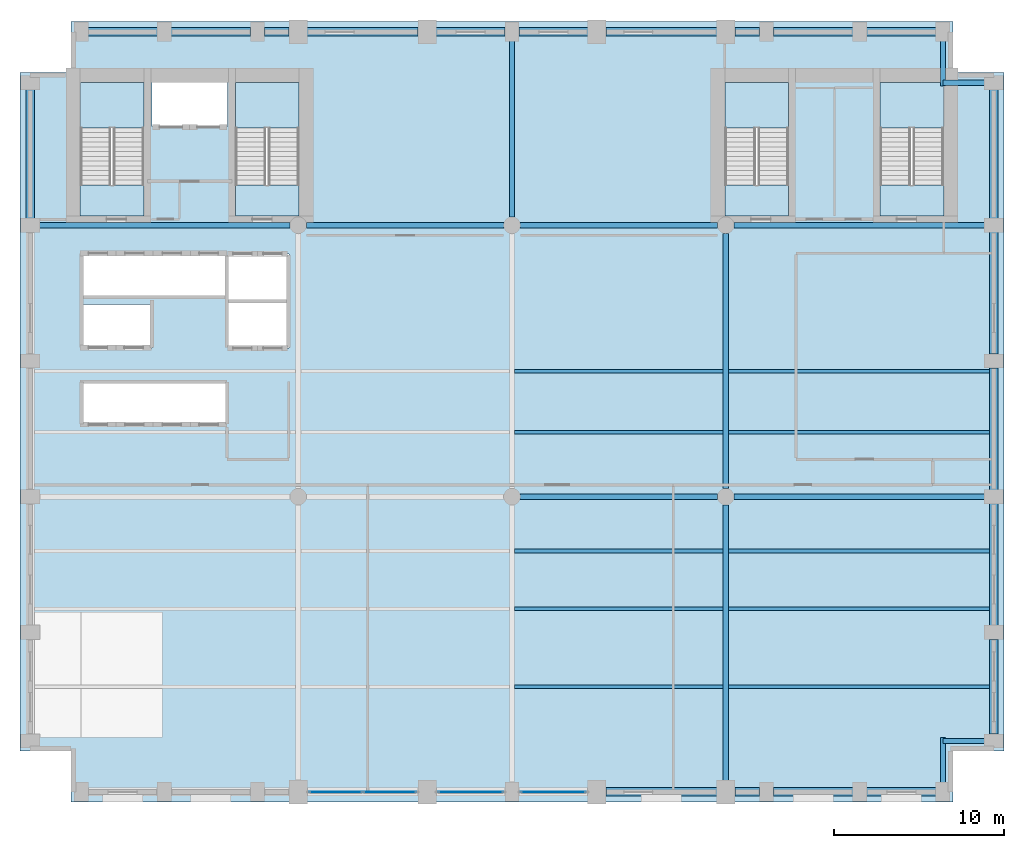
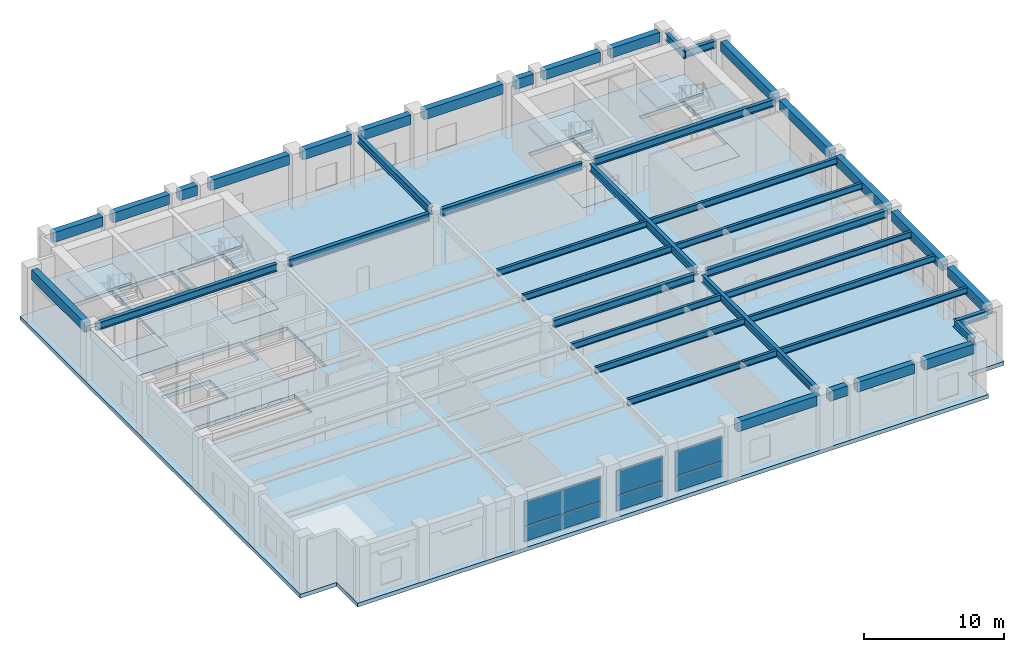
# One storey, part 3 of 10: 43 beams, 9 slabs, 8 plates, 7 elements without a shape of their own.
"""IFC4 building model written with IfcOpenShell, lengths in metres."""

from ifc_helpers import new_model, si_unit, direction, frame, origin, origin_2d, place, context, subcontext, project, spatial, polyline, rectangle, i_section, outline, extrude, material, layer, layer_set, material_profile, profile_set, type_object, element, aggregate, save


model = new_model("IFC4")

# Units and contexts
model_context = context("Model", 3, precision=1e-05, world=origin(), true_north=direction((0.0, 1.0)))
body_context = subcontext(model_context, "Body", "Model", "MODEL_VIEW")
ifc_project = project(units=[si_unit("LENGTHUNIT", "METRE"), si_unit("AREAUNIT", "SQUARE_METRE"), si_unit("VOLUMEUNIT", "CUBIC_METRE"), si_unit("PLANEANGLEUNIT", "RADIAN"), si_unit("MASSUNIT", "GRAM", prefix="KILO")], contexts=[model_context])

# Site, building, storey
site_placement = place(None, origin())
site = spatial("IfcSite", under=ifc_project, at=site_placement, CompositionType="ELEMENT")
building_placement = place(site_placement, origin())
building = spatial("IfcBuilding", under=site, at=building_placement, Name="Sulina Concourse Tower", CompositionType="ELEMENT")
storey_placement = place(building_placement, frame((0.0, 0.0, 87.800048828125)))
storey = spatial("IfcBuildingStorey", under=building, at=storey_placement, Name="L21", CompositionType="ELEMENT", Elevation=87.800048828125)

# Beams
ifc_material_1 = material(Name="Steel S355", Category="steel")
ifc_material_profile_1 = material_profile(ifc_material_1, i_section(OverallWidth=0.2099609375, OverallDepth=0.550048828125, WebThickness=0.010986328125, FlangeThickness=0.01708984375, at=origin_2d()), Name="IPE 550")
ifc_profile_set_1 = profile_set([ifc_material_profile_1], Name="Steel S355")
beam_type_1 = type_object("IfcBeamType", Name="Composite Floor Joist IPE550", PredefinedType="JOIST", material=ifc_profile_set_1)
beam_1_placement = place(storey_placement, frame((29.14990234375, 6.800048828125, 4.25), z_axis=(1.0, 0.0, 0.0), x_axis=(0.0, 1.0, 0.0)))
element("IfcBeam", 1, at=beam_1_placement, inside=storey, type_object=beam_type_1, Name="FJ-J06-3-L21", PredefinedType="JOIST", context=body_context, shape_type="SweptSolid", body=[
    extrude(i_section(OverallWidth=0.2099609375, OverallDepth=0.550048828125, WebThickness=0.010986328125, FlangeThickness=0.01708984375, at=origin_2d()), origin(), (0.0, 0.0, 1.0), 12.300048828125),
])
beam_2_placement = place(storey_placement, frame((41.75, 6.800048828125, 4.25), z_axis=(1.0, 0.0, 0.0), x_axis=(0.0, 1.0, 0.0)))
element("IfcBeam", 2, at=beam_2_placement, inside=storey, type_object=beam_type_1, Name="FJ-J06-4-L21", PredefinedType="JOIST", context=body_context, shape_type="SweptSolid", body=[
    extrude(i_section(OverallWidth=0.2099609375, OverallDepth=0.550048828125, WebThickness=0.010986328125, FlangeThickness=0.01708984375, at=origin_2d()), origin(), (0.0, 0.0, 1.0), 15.39990234375),
])
beam_3_placement = place(storey_placement, frame((29.14990234375, 11.39990234375, 4.25), z_axis=(1.0, 0.0, 0.0), x_axis=(0.0, 1.0, 0.0)))
element("IfcBeam", 3, at=beam_3_placement, inside=storey, type_object=beam_type_1, Name="FJ-J11-3-L21", PredefinedType="JOIST", context=body_context, shape_type="SweptSolid", body=[
    extrude(i_section(OverallWidth=0.2099609375, OverallDepth=0.550048828125, WebThickness=0.010986328125, FlangeThickness=0.01708984375, at=origin_2d()), origin(), (0.0, 0.0, 1.0), 12.300048828125),
])
beam_4_placement = place(storey_placement, frame((41.75, 11.39990234375, 4.25), z_axis=(1.0, 0.0, 0.0), x_axis=(0.0, 1.0, 0.0)))
element("IfcBeam", 4, at=beam_4_placement, inside=storey, type_object=beam_type_1, Name="FJ-J11-4-L21", PredefinedType="JOIST", context=body_context, shape_type="SweptSolid", body=[
    extrude(i_section(OverallWidth=0.2099609375, OverallDepth=0.550048828125, WebThickness=0.010986328125, FlangeThickness=0.01708984375, at=origin_2d()), origin(), (0.0, 0.0, 1.0), 15.39990234375),
])
beam_5_placement = place(storey_placement, frame((29.14990234375, 14.800048828125, 4.25), z_axis=(1.0, 0.0, 0.0), x_axis=(0.0, 1.0, 0.0)))
element("IfcBeam", 5, at=beam_5_placement, inside=storey, type_object=beam_type_1, Name="FJ-J15-3-L21", PredefinedType="JOIST", context=body_context, shape_type="SweptSolid", body=[
    extrude(i_section(OverallWidth=0.2099609375, OverallDepth=0.550048828125, WebThickness=0.010986328125, FlangeThickness=0.01708984375, at=origin_2d()), origin(), (0.0, 0.0, 1.0), 12.300048828125),
])
beam_6_placement = place(storey_placement, frame((41.75, 14.800048828125, 4.25), z_axis=(1.0, 0.0, 0.0), x_axis=(0.0, 1.0, 0.0)))
element("IfcBeam", 6, at=beam_6_placement, inside=storey, type_object=beam_type_1, Name="FJ-J15-4-L21", PredefinedType="JOIST", context=body_context, shape_type="SweptSolid", body=[
    extrude(i_section(OverallWidth=0.2099609375, OverallDepth=0.550048828125, WebThickness=0.010986328125, FlangeThickness=0.01708984375, at=origin_2d()), origin(), (0.0, 0.0, 1.0), 15.39990234375),
])
beam_7_placement = place(storey_placement, frame((29.14990234375, 21.800048828125, 4.25), z_axis=(1.0, 0.0, 0.0), x_axis=(0.0, 1.0, 0.0)))
element("IfcBeam", 7, at=beam_7_placement, inside=storey, type_object=beam_type_1, Name="FJ-J22-3-L21", PredefinedType="JOIST", context=body_context, shape_type="SweptSolid", body=[
    extrude(i_section(OverallWidth=0.2099609375, OverallDepth=0.550048828125, WebThickness=0.010986328125, FlangeThickness=0.01708984375, at=origin_2d()), origin(), (0.0, 0.0, 1.0), 12.300048828125),
])
beam_8_placement = place(storey_placement, frame((41.75, 21.800048828125, 4.25), z_axis=(1.0, 0.0, 0.0), x_axis=(0.0, 1.0, 0.0)))
element("IfcBeam", 8, at=beam_8_placement, inside=storey, type_object=beam_type_1, Name="FJ-J22-4-L21", PredefinedType="JOIST", context=body_context, shape_type="SweptSolid", body=[
    extrude(i_section(OverallWidth=0.2099609375, OverallDepth=0.550048828125, WebThickness=0.010986328125, FlangeThickness=0.01708984375, at=origin_2d()), origin(), (0.0, 0.0, 1.0), 15.39990234375),
])
beam_9_placement = place(storey_placement, frame((29.14990234375, 25.39990234375, 4.25), z_axis=(1.0, 0.0, 0.0), x_axis=(0.0, 1.0, 0.0)))
element("IfcBeam", 9, at=beam_9_placement, inside=storey, type_object=beam_type_1, Name="FJ-J25-3-L21", PredefinedType="JOIST", context=body_context, shape_type="SweptSolid", body=[
    extrude(i_section(OverallWidth=0.2099609375, OverallDepth=0.550048828125, WebThickness=0.010986328125, FlangeThickness=0.01708984375, at=origin_2d()), origin(), (0.0, 0.0, 1.0), 12.300048828125),
])
beam_10_placement = place(storey_placement, frame((41.75, 25.39990234375, 4.25), z_axis=(1.0, 0.0, 0.0), x_axis=(0.0, 1.0, 0.0)))
element("IfcBeam", 10, at=beam_10_placement, inside=storey, type_object=beam_type_1, Name="FJ-J25-4-L21", PredefinedType="JOIST", context=body_context, shape_type="SweptSolid", body=[
    extrude(i_section(OverallWidth=0.2099609375, OverallDepth=0.550048828125, WebThickness=0.010986328125, FlangeThickness=0.01708984375, at=origin_2d()), origin(), (0.0, 0.0, 1.0), 15.39990234375),
])
ifc_material_2 = material(Name="Steel S355", Category="steel")
ifc_material_profile_2 = material_profile(ifc_material_2, i_section(OverallWidth=0.300048828125, OverallDepth=0.64990234375, WebThickness=0.01611328125, FlangeThickness=0.031005859375, at=origin_2d()), Name="HE 650 B")
ifc_profile_set_2 = profile_set([ifc_material_profile_2], Name="Steel S355")
beam_type_2 = type_object("IfcBeamType", Name="Floor Primary Girder Zone 2 HE650B", PredefinedType="BEAM", material=ifc_profile_set_2)
for number, where, z_axis, x_axis, name in (
    (11, (54.39990234375, 3.60009765625, 4.199951171875), (1.0, 0.0, 0.0), (0.0, 1.0, 0.0), "TIE-SE-L21"),
    (12, (54.39990234375, 42.39990234375, 4.199951171875), (1.0, 0.0, 0.0), (0.0, 1.0, 0.0), "TIE-NE-L21"),
):
    element("IfcBeam", number, at=place(storey_placement, frame(where, z_axis=z_axis, x_axis=x_axis)), inside=storey, type_object=beam_type_2, Name=name, PredefinedType="BEAM", context=body_context, shape_type="SweptSolid", body=[
        extrude(i_section(OverallWidth=0.300048828125, OverallDepth=0.64990234375, WebThickness=0.01611328125, FlangeThickness=0.031005859375, at=origin_2d()), origin(), (0.0, 0.0, 1.0), 2.59521484375),
    ])
for number, where, z_axis, x_axis, name in (
    (13, (54.39990234375, 1.0048828125, 4.199951171875), (0.0, 1.0, 0.0), (-1.0, 0.0, 0.0), "TIE-SES-L21"),
    (14, (54.39990234375, 42.199951171875, 4.199951171875), (0.0, 1.0, 0.0), (-1.0, 0.0, 0.0), "TIE-NEN-L21"),
):
    element("IfcBeam", number, at=place(storey_placement, frame(where, z_axis=z_axis, x_axis=x_axis)), inside=storey, type_object=beam_type_2, Name=name, PredefinedType="BEAM", context=body_context, shape_type="SweptSolid", body=[
        extrude(i_section(OverallWidth=0.300048828125, OverallDepth=0.64990234375, WebThickness=0.01611328125, FlangeThickness=0.031005859375, at=origin_2d()), origin(), (0.0, 0.0, 1.0), 2.795166015625),
    ])
beam_11_placement = place(storey_placement, frame((29.47998046875, 18.0, 4.199951171875), z_axis=(1.0, 0.0, 0.0), x_axis=(0.0, 1.0, 0.0)))
element("IfcBeam", 15, at=beam_11_placement, inside=storey, type_object=beam_type_2, Name="FG-EW3-L21", PredefinedType="BEAM", context=body_context, shape_type="SweptSolid", body=[
    extrude(i_section(OverallWidth=0.300048828125, OverallDepth=0.64990234375, WebThickness=0.01611328125, FlangeThickness=0.031005859375, at=origin_2d()), origin(), (0.0, 0.0, 1.0), 11.64013671875),
])
for number, where, z_axis, x_axis, name in (
    (16, (42.080078125, 18.0, 4.199951171875), (1.0, 0.0, 0.0), (0.0, 1.0, 0.0), "FG-EW4-L21"),
    (17, (1.0048828125, 34.0, 4.199951171875), (1.0, 0.0, 0.0), (0.0, 1.0, 0.0), "FG-EWN1-L21"),
):
    element("IfcBeam", number, at=place(storey_placement, frame(where, z_axis=z_axis, x_axis=x_axis)), inside=storey, type_object=beam_type_2, Name=name, PredefinedType="BEAM", context=body_context, shape_type="SweptSolid", body=[
        extrude(i_section(OverallWidth=0.300048828125, OverallDepth=0.64990234375, WebThickness=0.01611328125, FlangeThickness=0.031005859375, at=origin_2d()), origin(), (0.0, 0.0, 1.0), 14.9150390625),
    ])
for number, where, z_axis, x_axis, name in (
    (18, (16.8798828125, 34.0, 4.199951171875), (1.0, 0.0, 0.0), (0.0, 1.0, 0.0), "FG-EWN2-L21"),
    (19, (29.47998046875, 34.0, 4.199951171875), (1.0, 0.0, 0.0), (0.0, 1.0, 0.0), "FG-EWN3-L21"),
):
    element("IfcBeam", number, at=place(storey_placement, frame(where, z_axis=z_axis, x_axis=x_axis)), inside=storey, type_object=beam_type_2, Name=name, PredefinedType="BEAM", context=body_context, shape_type="SweptSolid", body=[
        extrude(i_section(OverallWidth=0.300048828125, OverallDepth=0.64990234375, WebThickness=0.01611328125, FlangeThickness=0.031005859375, at=origin_2d()), origin(), (0.0, 0.0, 1.0), 11.64013671875),
    ])
beam_12_placement = place(storey_placement, frame((42.080078125, 34.0, 4.199951171875), z_axis=(1.0, 0.0, 0.0), x_axis=(0.0, 1.0, 0.0)))
element("IfcBeam", 20, at=beam_12_placement, inside=storey, type_object=beam_type_2, Name="FG-EWN4-L21", PredefinedType="BEAM", context=body_context, shape_type="SweptSolid", body=[
    extrude(i_section(OverallWidth=0.300048828125, OverallDepth=0.64990234375, WebThickness=0.01611328125, FlangeThickness=0.031005859375, at=origin_2d()), origin(), (0.0, 0.0, 1.0), 14.9150390625),
])
beam_13_placement = place(storey_placement, frame((29.0, 34.47998046875, 4.199951171875), z_axis=(0.0, 1.0, 0.0), x_axis=(-1.0, 0.0, 0.0)))
element("IfcBeam", 21, at=beam_13_placement, inside=storey, type_object=beam_type_2, Name="FG-NSC-29-L21", PredefinedType="BEAM", context=body_context, shape_type="SweptSolid", body=[
    extrude(i_section(OverallWidth=0.300048828125, OverallDepth=0.64990234375, WebThickness=0.01611328125, FlangeThickness=0.031005859375, at=origin_2d()), origin(), (0.0, 0.0, 1.0), 10.51513671875),
])
beam_14_placement = place(storey_placement, frame((41.60009765625, 1.1298828125, 4.199951171875), z_axis=(0.0, 1.0, 0.0), x_axis=(-1.0, 0.0, 0.0)))
element("IfcBeam", 22, at=beam_14_placement, inside=storey, type_object=beam_type_2, Name="FG-NSA-41-L21", PredefinedType="BEAM", context=body_context, shape_type="SweptSolid", body=[
    extrude(i_section(OverallWidth=0.300048828125, OverallDepth=0.64990234375, WebThickness=0.01611328125, FlangeThickness=0.031005859375, at=origin_2d()), origin(), (0.0, 0.0, 1.0), 16.39013671875),
])
beam_15_placement = place(storey_placement, frame((41.60009765625, 18.47998046875, 4.199951171875), z_axis=(0.0, 1.0, 0.0), x_axis=(-1.0, 0.0, 0.0)))
element("IfcBeam", 23, at=beam_15_placement, inside=storey, type_object=beam_type_2, Name="FG-NSB-41-L21", PredefinedType="BEAM", context=body_context, shape_type="SweptSolid", body=[
    extrude(i_section(OverallWidth=0.300048828125, OverallDepth=0.64990234375, WebThickness=0.01611328125, FlangeThickness=0.031005859375, at=origin_2d()), origin(), (0.0, 0.0, 1.0), 15.0400390625),
])
ifc_material_3 = material(Name="Precast concrete C50/60", Category="concrete")
ifc_material_profile_3 = material_profile(ifc_material_3, rectangle(XDim=0.5, YDim=0.85009765625, at=origin_2d()), Name="RC 500x850")
ifc_profile_set_3 = profile_set([ifc_material_profile_3], Name="Precast concrete C50/60")
beam_type_3 = type_object("IfcBeamType", Name="Lower Precast Spandrel Edge Beam 500x850", PredefinedType="BEAM", material=ifc_profile_set_3)
beam_16_placement = place(storey_placement, frame((34.530029296875, 0.60009765625, 4.099853515625), z_axis=(1.0, 0.0, 0.0), x_axis=(0.0, 1.0, 0.0)))
element("IfcBeam", 24, at=beam_16_placement, inside=storey, type_object=beam_type_3, Name="SP-S7-L21", PredefinedType="BEAM", context=body_context, shape_type="SweptSolid", body=[
    extrude(rectangle(XDim=0.5, YDim=0.85009765625, at=origin_2d()), origin(), (0.0, 0.0, 1.0), 6.5400390625),
])
beam_17_placement = place(storey_placement, frame((42.1298828125, 0.60009765625, 4.099853515625), z_axis=(1.0, 0.0, 0.0), x_axis=(0.0, 1.0, 0.0)))
element("IfcBeam", 25, at=beam_17_placement, inside=storey, type_object=beam_type_3, Name="SP-S8-L21", PredefinedType="BEAM", context=body_context, shape_type="SweptSolid", body=[
    extrude(rectangle(XDim=0.5, YDim=0.85009765625, at=origin_2d()), origin(), (0.0, 0.0, 1.0), 1.465087890625),
])
beam_18_placement = place(storey_placement, frame((44.405029296875, 0.60009765625, 4.099853515625), z_axis=(1.0, 0.0, 0.0), x_axis=(0.0, 1.0, 0.0)))
element("IfcBeam", 26, at=beam_18_placement, inside=storey, type_object=beam_type_3, Name="SP-S9-L21", PredefinedType="BEAM", context=body_context, shape_type="SweptSolid", body=[
    extrude(rectangle(XDim=0.5, YDim=0.85009765625, at=origin_2d()), origin(), (0.0, 0.0, 1.0), 4.68994140625),
])
for number, where, z_axis, x_axis, name in (
    (27, (49.905029296875, 0.60009765625, 4.099853515625), (1.0, 0.0, 0.0), (0.0, 1.0, 0.0), "SP-S10-L21"),
    (28, (4.0048828125, 45.39990234375, 4.099853515625), (1.0, 0.0, 0.0), (0.0, 1.0, 0.0), "SP-N1-L21"),
):
    element("IfcBeam", number, at=place(storey_placement, frame(where, z_axis=z_axis, x_axis=x_axis)), inside=storey, type_object=beam_type_3, Name=name, PredefinedType="BEAM", context=body_context, shape_type="SweptSolid", body=[
        extrude(rectangle(XDim=0.5, YDim=0.85009765625, at=origin_2d()), origin(), (0.0, 0.0, 1.0), 4.090087890625),
    ])
beam_19_placement = place(storey_placement, frame((8.905029296875, 45.39990234375, 4.099853515625), z_axis=(1.0, 0.0, 0.0), x_axis=(0.0, 1.0, 0.0)))
element("IfcBeam", 29, at=beam_19_placement, inside=storey, type_object=beam_type_3, Name="SP-N2-L21", PredefinedType="BEAM", context=body_context, shape_type="SweptSolid", body=[
    extrude(rectangle(XDim=0.5, YDim=0.85009765625, at=origin_2d()), origin(), (0.0, 0.0, 1.0), 4.68994140625),
])
beam_20_placement = place(storey_placement, frame((14.405029296875, 45.39990234375, 4.099853515625), z_axis=(1.0, 0.0, 0.0), x_axis=(0.0, 1.0, 0.0)))
element("IfcBeam", 30, at=beam_20_placement, inside=storey, type_object=beam_type_3, Name="SP-N3-L21", PredefinedType="BEAM", context=body_context, shape_type="SweptSolid", body=[
    extrude(rectangle(XDim=0.5, YDim=0.85009765625, at=origin_2d()), origin(), (0.0, 0.0, 1.0), 1.465087890625),
])
beam_21_placement = place(storey_placement, frame((16.929931640625, 45.39990234375, 4.099853515625), z_axis=(1.0, 0.0, 0.0), x_axis=(0.0, 1.0, 0.0)))
element("IfcBeam", 31, at=beam_21_placement, inside=storey, type_object=beam_type_3, Name="SP-N4-L21", PredefinedType="BEAM", context=body_context, shape_type="SweptSolid", body=[
    extrude(rectangle(XDim=0.5, YDim=0.85009765625, at=origin_2d()), origin(), (0.0, 0.0, 1.0), 6.5400390625),
])
for number, where, z_axis, x_axis, name in (
    (32, (24.530029296875, 45.39990234375, 4.099853515625), (1.0, 0.0, 0.0), (0.0, 1.0, 0.0), "SP-N5-L21"),
    (33, (29.405029296875, 45.39990234375, 4.099853515625), (1.0, 0.0, 0.0), (0.0, 1.0, 0.0), "SP-N6-L21"),
):
    element("IfcBeam", number, at=place(storey_placement, frame(where, z_axis=z_axis, x_axis=x_axis)), inside=storey, type_object=beam_type_3, Name=name, PredefinedType="BEAM", context=body_context, shape_type="SweptSolid", body=[
        extrude(rectangle(XDim=0.5, YDim=0.85009765625, at=origin_2d()), origin(), (0.0, 0.0, 1.0), 4.06494140625),
    ])
beam_22_placement = place(storey_placement, frame((34.530029296875, 45.39990234375, 4.099853515625), z_axis=(1.0, 0.0, 0.0), x_axis=(0.0, 1.0, 0.0)))
element("IfcBeam", 34, at=beam_22_placement, inside=storey, type_object=beam_type_3, Name="SP-N7-L21", PredefinedType="BEAM", context=body_context, shape_type="SweptSolid", body=[
    extrude(rectangle(XDim=0.5, YDim=0.85009765625, at=origin_2d()), origin(), (0.0, 0.0, 1.0), 6.5400390625),
])
beam_23_placement = place(storey_placement, frame((42.1298828125, 45.39990234375, 4.099853515625), z_axis=(1.0, 0.0, 0.0), x_axis=(0.0, 1.0, 0.0)))
element("IfcBeam", 35, at=beam_23_placement, inside=storey, type_object=beam_type_3, Name="SP-N8-L21", PredefinedType="BEAM", context=body_context, shape_type="SweptSolid", body=[
    extrude(rectangle(XDim=0.5, YDim=0.85009765625, at=origin_2d()), origin(), (0.0, 0.0, 1.0), 1.465087890625),
])
beam_24_placement = place(storey_placement, frame((44.405029296875, 45.39990234375, 4.099853515625), z_axis=(1.0, 0.0, 0.0), x_axis=(0.0, 1.0, 0.0)))
element("IfcBeam", 36, at=beam_24_placement, inside=storey, type_object=beam_type_3, Name="SP-N9-L21", PredefinedType="BEAM", context=body_context, shape_type="SweptSolid", body=[
    extrude(rectangle(XDim=0.5, YDim=0.85009765625, at=origin_2d()), origin(), (0.0, 0.0, 1.0), 4.68994140625),
])
beam_25_placement = place(storey_placement, frame((49.905029296875, 45.39990234375, 4.099853515625), z_axis=(1.0, 0.0, 0.0), x_axis=(0.0, 1.0, 0.0)))
element("IfcBeam", 37, at=beam_25_placement, inside=storey, type_object=beam_type_3, Name="SP-N10-L21", PredefinedType="BEAM", context=body_context, shape_type="SweptSolid", body=[
    extrude(rectangle(XDim=0.5, YDim=0.85009765625, at=origin_2d()), origin(), (0.0, 0.0, 1.0), 4.090087890625),
])
beam_26_placement = place(storey_placement, frame((0.60009765625, 34.405029296875, 4.099853515625), z_axis=(0.0, 1.0, 0.0), x_axis=(-1.0, 0.0, 0.0)))
element("IfcBeam", 38, at=beam_26_placement, inside=storey, type_object=beam_type_3, Name="SP-W5-L21", PredefinedType="BEAM", context=body_context, shape_type="SweptSolid", body=[
    extrude(rectangle(XDim=0.5, YDim=0.85009765625, at=origin_2d()), origin(), (0.0, 0.0, 1.0), 7.590087890625),
])
beam_27_placement = place(storey_placement, frame((57.39990234375, 4.0048828125, 4.099853515625), z_axis=(0.0, 1.0, 0.0), x_axis=(-1.0, 0.0, 0.0)))
element("IfcBeam", 39, at=beam_27_placement, inside=storey, type_object=beam_type_3, Name="SP-E1-L21", PredefinedType="BEAM", context=body_context, shape_type="SweptSolid", body=[
    extrude(rectangle(XDim=0.5, YDim=0.85009765625, at=origin_2d()), origin(), (0.0, 0.0, 1.0), 5.590087890625),
])
for number, where, z_axis, x_axis, name in (
    (40, (57.39990234375, 10.405029296875, 4.099853515625), (0.0, 1.0, 0.0), (-1.0, 0.0, 0.0), "SP-E2-L21"),
    (41, (57.39990234375, 18.405029296875, 4.099853515625), (0.0, 1.0, 0.0), (-1.0, 0.0, 0.0), "SP-E3-L21"),
    (42, (57.39990234375, 26.405029296875, 4.099853515625), (0.0, 1.0, 0.0), (-1.0, 0.0, 0.0), "SP-E4-L21"),
):
    element("IfcBeam", number, at=place(storey_placement, frame(where, z_axis=z_axis, x_axis=x_axis)), inside=storey, type_object=beam_type_3, Name=name, PredefinedType="BEAM", context=body_context, shape_type="SweptSolid", body=[
        extrude(rectangle(XDim=0.5, YDim=0.85009765625, at=origin_2d()), origin(), (0.0, 0.0, 1.0), 7.18994140625),
    ])
beam_28_placement = place(storey_placement, frame((57.39990234375, 34.405029296875, 4.099853515625), z_axis=(0.0, 1.0, 0.0), x_axis=(-1.0, 0.0, 0.0)))
element("IfcBeam", 43, at=beam_28_placement, inside=storey, type_object=beam_type_3, Name="SP-E5-L21", PredefinedType="BEAM", context=body_context, shape_type="SweptSolid", body=[
    extrude(rectangle(XDim=0.5, YDim=0.85009765625, at=origin_2d()), origin(), (0.0, 0.0, 1.0), 7.590087890625),
])

# Slabs
ifc_material_4 = material(Name="Concrete C60/75", Category="concrete")
ifc_layer_1 = layer(ifc_material_4, 0.340087890625)
ifc_layer_set_1 = layer_set([ifc_layer_1], Name="Concrete C60/75")
slab_type_1 = type_object("IfcSlabType", Name="Mechanical Plant & Sky-Lobby Slab 340mm", PredefinedType="FLOOR", material=ifc_layer_set_1)
slab_1_placement = place(storey_placement, frame((0.0, 0.0, -0.340087890625)))
element("IfcSlab", 44, at=slab_1_placement, inside=storey, type_object=slab_type_1, Name="L21 structural floor slab", PredefinedType="FLOOR", context=body_context, shape_type="SweptSolid", body=[
    extrude(outline(polyline([(3.0, 0.0), (55.0, 0.0), (55.0, 3.0), (58.0, 3.0), (58.0, 43.0), (55.0, 43.0), (55.0, 46.0), (3.0, 46.0), (3.0, 43.0), (0.0, 43.0), (0.0, 3.0), (3.0, 3.0), (3.0, 0.0)]), holes=[polyline([(7.31005859375, 34.550048828125), (7.31005859375, 42.429931640625), (3.550048828125, 42.429931640625), (3.550048828125, 34.550048828125), (7.31005859375, 34.550048828125)]), polyline([(16.449951171875, 34.550048828125), (16.449951171875, 42.429931640625), (12.68994140625, 42.429931640625), (12.68994140625, 34.550048828125), (16.449951171875, 34.550048828125)]), polyline([(45.31005859375, 34.550048828125), (45.31005859375, 42.429931640625), (41.550048828125, 42.429931640625), (41.550048828125, 34.550048828125), (45.31005859375, 34.550048828125)]), polyline([(54.449951171875, 34.550048828125), (54.449951171875, 42.429931640625), (50.68994140625, 42.429931640625), (50.68994140625, 34.550048828125), (54.449951171875, 34.550048828125)]), polyline([(7.780029296875, 39.830078125), (12.219970703125, 39.830078125), (12.219970703125, 42.449951171875), (7.780029296875, 42.449951171875), (7.780029296875, 39.830078125)]), polyline([(3.739990234375, 26.780029296875), (7.77001953125, 26.780029296875), (7.77001953125, 29.320068359375), (3.739990234375, 29.320068359375), (3.739990234375, 26.780029296875)]), polyline([(3.739990234375, 29.780029296875), (12.10009765625, 29.780029296875), (12.10009765625, 32.3701171875), (3.739990234375, 32.3701171875), (3.739990234375, 29.780029296875)]), polyline([(3.739990234375, 22.280029296875), (12.10009765625, 22.280029296875), (12.10009765625, 24.77001953125), (3.739990234375, 24.77001953125), (3.739990234375, 22.280029296875)]), polyline([(12.280029296875, 26.780029296875), (15.85009765625, 26.780029296875), (15.85009765625, 32.320068359375), (12.280029296875, 32.320068359375), (12.280029296875, 26.780029296875)])]), origin(), (0.0, 0.0, 1.0), 0.340087890625),
])
ifc_material_5 = material(Name="Concrete C50/60", Category="concrete")
ifc_layer_2 = layer(ifc_material_5, 0.199951171875)
ifc_layer_set_2 = layer_set([ifc_layer_2], Name="Concrete C50/60")
slab_type_2 = type_object("IfcSlabType", Name="Primary Core Stair Landing Slab 200mm", PredefinedType="LANDING", material=ifc_layer_set_2)
slab_2_placement = place(storey_placement, frame((0.0, 0.0, -0.199951171875)))
element("IfcSlab", 45, at=slab_2_placement, inside=storey, type_object=slab_type_2, Name="L21 ST-1 floor landing slab", PredefinedType="LANDING", context=body_context, shape_type="SweptSolid", body=[
    extrude(outline(polyline([(7.31005859375, 34.550048828125), (7.31005859375, 36.375), (3.550048828125, 36.375), (3.550048828125, 34.550048828125), (7.31005859375, 34.550048828125)])), origin(), (0.0, 0.0, 1.0), 0.199951171875),
])
slab_3_placement = place(storey_placement, frame((0.0, 0.0, -0.199951171875)))
element("IfcSlab", 46, at=slab_3_placement, inside=storey, type_object=slab_type_2, Name="L21 ST-2 floor landing slab", PredefinedType="LANDING", context=body_context, shape_type="SweptSolid", body=[
    extrude(outline(polyline([(16.449951171875, 34.550048828125), (16.449951171875, 36.375), (12.68994140625, 36.375), (12.68994140625, 34.550048828125), (16.449951171875, 34.550048828125)])), origin(), (0.0, 0.0, 1.0), 0.199951171875),
])
slab_4_placement = place(storey_placement, frame((0.0, 0.0, -0.199951171875)))
element("IfcSlab", 47, at=slab_4_placement, inside=storey, type_object=slab_type_2, Name="L21 ST-3 floor landing slab", PredefinedType="LANDING", context=body_context, shape_type="SweptSolid", body=[
    extrude(outline(polyline([(45.31005859375, 34.550048828125), (45.31005859375, 36.375), (41.550048828125, 36.375), (41.550048828125, 34.550048828125), (45.31005859375, 34.550048828125)])), origin(), (0.0, 0.0, 1.0), 0.199951171875),
])
slab_5_placement = place(storey_placement, frame((0.0, 0.0, -0.199951171875)))
element("IfcSlab", 48, at=slab_5_placement, inside=storey, type_object=slab_type_2, Name="L21 ST-4 floor landing slab", PredefinedType="LANDING", context=body_context, shape_type="SweptSolid", body=[
    extrude(outline(polyline([(54.449951171875, 34.550048828125), (54.449951171875, 36.375), (50.68994140625, 36.375), (50.68994140625, 34.550048828125), (54.449951171875, 34.550048828125)])), origin(), (0.0, 0.0, 1.0), 0.199951171875),
])

# Stair, slab
ifc_material_6 = material(Name="Concrete C50/60", Category="concrete")
stair_type_1 = type_object("IfcStairType", Name="Primary Core Dog-Leg Exit Stair 1800mm", PredefinedType="HALF_TURN_STAIR", material=ifc_material_6)
stair_1_placement = place(storey_placement, origin())
stair_1 = element("IfcStair", 49, at=stair_1_placement, inside=storey, type_object=stair_type_1, Name="L21 ST-1", PredefinedType="HALF_TURN_STAIR")
slab_6_placement = place(storey_placement, frame((0.0, 0.0, 2.199951171875)))
slab_6 = element("IfcSlab", 50, at=slab_6_placement, type_object=slab_type_2, Name="ST-1 landing 1", PredefinedType="LANDING", context=body_context, shape_type="SweptSolid", body=[
    extrude(outline(polyline([(7.304931640625, 39.735107421875), (7.304931640625, 42.425048828125), (3.554931640625, 42.425048828125), (3.554931640625, 39.735107421875), (7.304931640625, 39.735107421875)])), origin(), (0.0, 0.0, 1.0), 0.199951171875),
])
aggregate(stair_1, [slab_6])

stair_2_placement = place(storey_placement, origin())
stair_2 = element("IfcStair", 51, at=stair_2_placement, inside=storey, type_object=stair_type_1, Name="L21 ST-2", PredefinedType="HALF_TURN_STAIR")
slab_7_placement = place(storey_placement, frame((0.0, 0.0, 2.199951171875)))
slab_7 = element("IfcSlab", 52, at=slab_7_placement, type_object=slab_type_2, Name="ST-2 landing 1", PredefinedType="LANDING", context=body_context, shape_type="SweptSolid", body=[
    extrude(outline(polyline([(16.445068359375, 39.735107421875), (16.445068359375, 42.425048828125), (12.695068359375, 42.425048828125), (12.695068359375, 39.735107421875), (16.445068359375, 39.735107421875)])), origin(), (0.0, 0.0, 1.0), 0.199951171875),
])
aggregate(stair_2, [slab_7])

ifc_material_7 = material(Name="Concrete C50/60", Category="concrete")
stair_type_2 = type_object("IfcStairType", Name="Portal & Podium Core Exit Stair 1820mm", PredefinedType="HALF_TURN_STAIR", material=ifc_material_7)
stair_3_placement = place(storey_placement, origin())
stair_3 = element("IfcStair", 53, at=stair_3_placement, inside=storey, type_object=stair_type_2, Name="L21 ST-3", PredefinedType="HALF_TURN_STAIR")
slab_8_placement = place(storey_placement, frame((0.0, 0.0, 2.199951171875)))
slab_8 = element("IfcSlab", 54, at=slab_8_placement, type_object=slab_type_2, Name="ST-3 landing 1", PredefinedType="LANDING", context=body_context, shape_type="SweptSolid", body=[
    extrude(outline(polyline([(45.304931640625, 39.735107421875), (45.304931640625, 42.425048828125), (41.554931640625, 42.425048828125), (41.554931640625, 39.735107421875), (45.304931640625, 39.735107421875)])), origin(), (0.0, 0.0, 1.0), 0.199951171875),
])
aggregate(stair_3, [slab_8])

stair_4_placement = place(storey_placement, origin())
stair_4 = element("IfcStair", 55, at=stair_4_placement, inside=storey, type_object=stair_type_2, Name="L21 ST-4", PredefinedType="HALF_TURN_STAIR")
slab_9_placement = place(storey_placement, frame((0.0, 0.0, 2.199951171875)))
slab_9 = element("IfcSlab", 56, at=slab_9_placement, type_object=slab_type_2, Name="ST-4 landing 1", PredefinedType="LANDING", context=body_context, shape_type="SweptSolid", body=[
    extrude(outline(polyline([(54.445068359375, 39.735107421875), (54.445068359375, 42.425048828125), (50.695068359375, 42.425048828125), (50.695068359375, 39.735107421875), (54.445068359375, 39.735107421875)])), origin(), (0.0, 0.0, 1.0), 0.199951171875),
])
aggregate(stair_4, [slab_9])

# Curtain wall, plates
ifc_material_8 = material(Name="Anodised bronze aluminium", Category="aluminium")
ifc_layer_3 = layer(ifc_material_8, 0.260009765625)
ifc_layer_set_3 = layer_set([ifc_layer_3], Name="Anodised bronze aluminium")
curtain_wall_type = type_object("IfcCurtainWallType", Name="Sky-Lobby Panorama Curtain Wall System", PredefinedType="NOTDEFINED", material=ifc_layer_set_3)
curtain_wall_1_placement = place(storey_placement, origin())
curtain_wall_1 = element("IfcCurtainWall", 57, at=curtain_wall_1_placement, inside=storey, type_object=curtain_wall_type, Name="L21 glazed curtain wall S4", PredefinedType="NOTDEFINED")
ifc_material_9 = material(Name="Acoustic laminated sky-lobby glazing", Category="glass")
ifc_layer_4 = layer(ifc_material_9, 0.0400390625)
ifc_layer_set_4 = layer_set([ifc_layer_4], Name="Acoustic laminated sky-lobby glazing")
plate_type = type_object("IfcPlateType", Name="Sky-Lobby Panorama Curtain Wall System Glazed Panel 40mm", PredefinedType="CURTAIN_PANEL", material=ifc_layer_set_4)
plate_1_placement = place(storey_placement, frame((21.794921875, 0.60009765625, 0.080078125), z_axis=(0.0, 0.0, 1.0), x_axis=(-1.0, 0.0, 0.0)))
plate_1 = element("IfcPlate", 58, at=plate_1_placement, type_object=plate_type, Name="CW-03 panel 1.1", PredefinedType="CURTAIN_PANEL", context=body_context, shape_type="SweptSolid", body=[
    extrude(rectangle(XDim=3.110107421875, YDim=0.0400390625, at=origin_2d()), origin(), (0.0, 0.0, 1.0), 1.276611328125),
])
plate_2_placement = place(storey_placement, frame((21.794921875, 0.60009765625, 1.4365234375), z_axis=(0.0, 0.0, 1.0), x_axis=(-1.0, 0.0, 0.0)))
plate_2 = element("IfcPlate", 59, at=plate_2_placement, type_object=plate_type, Name="CW-03 panel 1.2", PredefinedType="CURTAIN_PANEL", context=body_context, shape_type="SweptSolid", body=[
    extrude(rectangle(XDim=3.110107421875, YDim=0.0400390625, at=origin_2d()), origin(), (0.0, 0.0, 1.0), 2.158447265625),
])
plate_3_placement = place(storey_placement, frame((18.60498046875, 0.60009765625, 0.080078125), z_axis=(0.0, 0.0, 1.0), x_axis=(-1.0, 0.0, 0.0)))
plate_3 = element("IfcPlate", 60, at=plate_3_placement, type_object=plate_type, Name="CW-03 panel 2.1", PredefinedType="CURTAIN_PANEL", context=body_context, shape_type="SweptSolid", body=[
    extrude(rectangle(XDim=3.110107421875, YDim=0.0400390625, at=origin_2d()), origin(), (0.0, 0.0, 1.0), 1.276611328125),
])
plate_4_placement = place(storey_placement, frame((18.60498046875, 0.60009765625, 1.4365234375), z_axis=(0.0, 0.0, 1.0), x_axis=(-1.0, 0.0, 0.0)))
plate_4 = element("IfcPlate", 61, at=plate_4_placement, type_object=plate_type, Name="CW-03 panel 2.2", PredefinedType="CURTAIN_PANEL", context=body_context, shape_type="SweptSolid", body=[
    extrude(rectangle(XDim=3.110107421875, YDim=0.0400390625, at=origin_2d()), origin(), (0.0, 0.0, 1.0), 2.158447265625),
])
aggregate(curtain_wall_1, [plate_1, plate_2, plate_3, plate_4])

curtain_wall_2_placement = place(storey_placement, origin())
curtain_wall_2 = element("IfcCurtainWall", 62, at=curtain_wall_2_placement, inside=storey, type_object=curtain_wall_type, Name="L21 glazed curtain wall S5", PredefinedType="NOTDEFINED")
plate_5_placement = place(storey_placement, frame((26.5625, 0.60009765625, 0.080078125), z_axis=(0.0, 0.0, 1.0), x_axis=(-1.0, 0.0, 0.0)))
plate_5 = element("IfcPlate", 63, at=plate_5_placement, type_object=plate_type, Name="CW-03 panel 1.1", PredefinedType="CURTAIN_PANEL", context=body_context, shape_type="SweptSolid", body=[
    extrude(rectangle(XDim=3.824951171875, YDim=0.0400390625, at=origin_2d()), origin(), (0.0, 0.0, 1.0), 1.276611328125),
])
plate_6_placement = place(storey_placement, frame((26.5625, 0.60009765625, 1.4365234375), z_axis=(0.0, 0.0, 1.0), x_axis=(-1.0, 0.0, 0.0)))
plate_6 = element("IfcPlate", 64, at=plate_6_placement, type_object=plate_type, Name="CW-03 panel 1.2", PredefinedType="CURTAIN_PANEL", context=body_context, shape_type="SweptSolid", body=[
    extrude(rectangle(XDim=3.824951171875, YDim=0.0400390625, at=origin_2d()), origin(), (0.0, 0.0, 1.0), 2.158447265625),
])
aggregate(curtain_wall_2, [plate_5, plate_6])

curtain_wall_3_placement = place(storey_placement, origin())
curtain_wall_3 = element("IfcCurtainWall", 65, at=curtain_wall_3_placement, inside=storey, type_object=curtain_wall_type, Name="L21 glazed curtain wall S6", PredefinedType="NOTDEFINED")
plate_7_placement = place(storey_placement, frame((31.4375, 0.60009765625, 0.080078125), z_axis=(0.0, 0.0, 1.0), x_axis=(-1.0, 0.0, 0.0)))
plate_7 = element("IfcPlate", 66, at=plate_7_placement, type_object=plate_type, Name="CW-03 panel 1.1", PredefinedType="CURTAIN_PANEL", context=body_context, shape_type="SweptSolid", body=[
    extrude(rectangle(XDim=3.824951171875, YDim=0.0400390625, at=origin_2d()), origin(), (0.0, 0.0, 1.0), 1.276611328125),
])
plate_8_placement = place(storey_placement, frame((31.4375, 0.60009765625, 1.4365234375), z_axis=(0.0, 0.0, 1.0), x_axis=(-1.0, 0.0, 0.0)))
plate_8 = element("IfcPlate", 67, at=plate_8_placement, type_object=plate_type, Name="CW-03 panel 1.2", PredefinedType="CURTAIN_PANEL", context=body_context, shape_type="SweptSolid", body=[
    extrude(rectangle(XDim=3.824951171875, YDim=0.0400390625, at=origin_2d()), origin(), (0.0, 0.0, 1.0), 2.158447265625),
])
aggregate(curtain_wall_3, [plate_7, plate_8])

save(model, "model.ifc")
